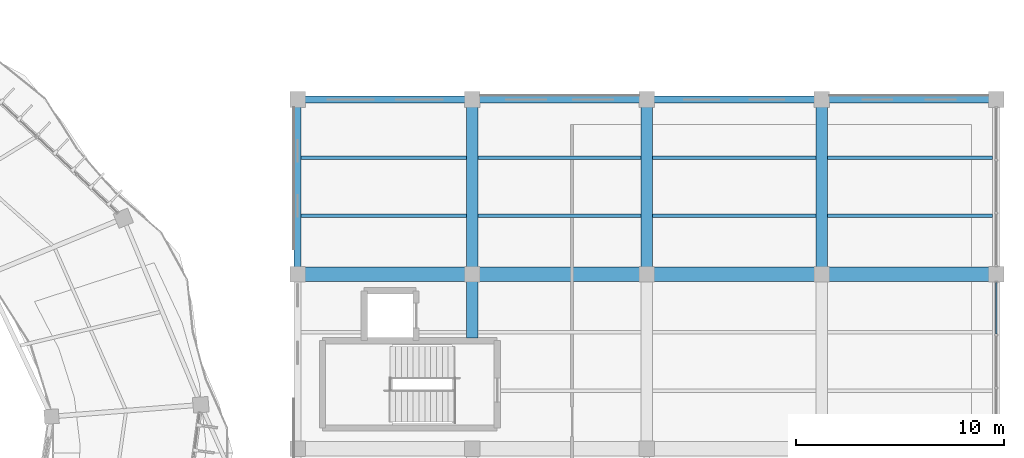
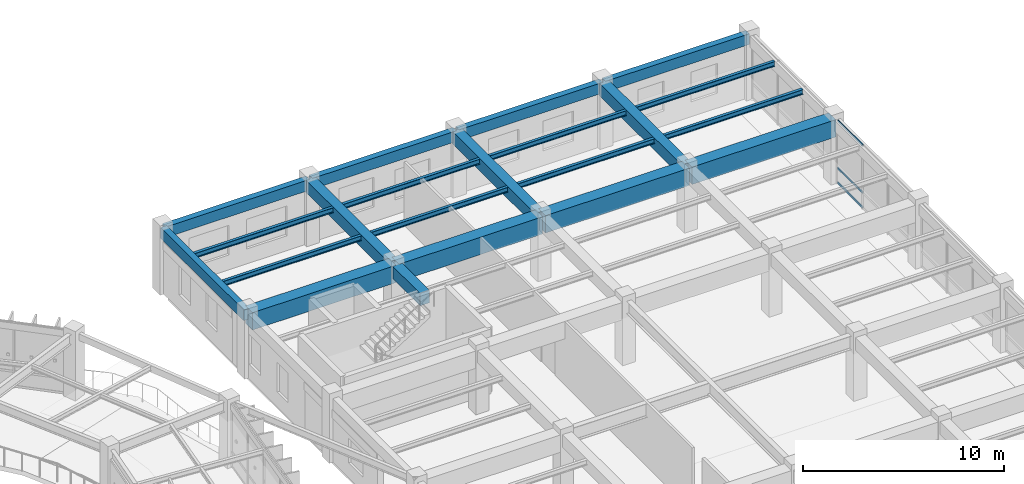
# One storey, part 109 of 152: 21 beams, 3 members, 1 element without a shape of its own.
"""IFC4 building model written with IfcOpenShell, lengths in metres."""

from ifc_helpers import new_model, si_unit, direction, frame, origin, origin_2d, place, context, subcontext, project, spatial, rectangle, hollow_rectangle, i_section, extrude, material, material_profile, profile_set, type_object, element, aggregate, save


model = new_model("IFC4")

# Units and contexts
model_context = context("Model", 3, precision=1e-05, world=origin(), true_north=direction((0.0, 1.0)))
body_context = subcontext(model_context, "Body", "Model", "MODEL_VIEW")
ifc_project = project(units=[si_unit("LENGTHUNIT", "METRE"), si_unit("AREAUNIT", "SQUARE_METRE"), si_unit("VOLUMEUNIT", "CUBIC_METRE"), si_unit("PLANEANGLEUNIT", "RADIAN"), si_unit("MASSUNIT", "GRAM", prefix="KILO"), si_unit("THERMODYNAMICTEMPERATUREUNIT", "KELVIN"), si_unit("POWERUNIT", "WATT")], contexts=[model_context])

# Site, building, storey
site_placement = place(None, origin())
site = spatial("IfcSite", under=ifc_project, at=site_placement, CompositionType="ELEMENT")
building_placement = place(site_placement, origin())
building = spatial("IfcBuilding", under=site, at=building_placement, Name="Darbajah Civic Hall", CompositionType="ELEMENT")
storey_placement = place(building_placement, frame((0.0, 0.0, 5.39990234375)))
storey = spatial("IfcBuildingStorey", under=building, at=storey_placement, Name="L01", CompositionType="ELEMENT", Elevation=5.39990234375)

# Curtain wall, members
ifc_material_1 = material(Name="Anodised Bronze Aluminium and Low-E Glazing", Category="aluminium")
curtain_wall_type = type_object("IfcCurtainWallType", Name="Unitised Curtain Wall CW-96 7600x3850", PredefinedType="USERDEFINED", material=ifc_material_1)
curtain_wall_placement = place(storey_placement, origin())
curtain_wall = element("IfcCurtainWall", 1, at=curtain_wall_placement, inside=storey, type_object=curtain_wall_type, Name="L01 unitised curtain wall CW-V4-L01-S1-B4", ObjectType="UNITISED CURTAIN WALL", PredefinedType="USERDEFINED")
ifc_material_2 = material(Name="Anodised Bronze Aluminium", Category="aluminium")
ifc_material_profile_1 = material_profile(ifc_material_2, hollow_rectangle(XDim=0.06005859375, YDim=0.1201171875, WallThickness=0.003173828125, at=origin_2d()), Name="ALU TRANSOM 60x120")
ifc_profile_set_1 = profile_set([ifc_material_profile_1], Name="Anodised Bronze Aluminium")
member_type = type_object("IfcMemberType", Name="ALU TRANSOM 60x120", PredefinedType="USERDEFINED", material=ifc_profile_set_1)
member_1_placement = place(storey_placement, frame((178.199951171875, 95.50927734375, 0.06005859375), z_axis=(0.0, 1.0, 0.0), x_axis=(-1.0, 0.0, 0.0)))
member_1 = element("IfcMember", 2, at=member_1_placement, type_object=member_type, Name="CW-V4-L01-S1-B4 transom 3.1", ObjectType="TRANSOM", PredefinedType="USERDEFINED", context=body_context, shape_type="SweptSolid", body=[
    extrude(hollow_rectangle(XDim=0.06005859375, YDim=0.1201171875, WallThickness=0.003173828125, at=origin_2d()), origin(), (0.0, 0.0, 1.0), 2.478759765625),
])
member_2_placement = place(storey_placement, frame((178.199951171875, 95.50927734375, 0.9501953125), z_axis=(0.0, 1.0, 0.0), x_axis=(-1.0, 0.0, 0.0)))
member_2 = element("IfcMember", 3, at=member_2_placement, type_object=member_type, Name="CW-V4-L01-S1-B4 transom 3.2", ObjectType="TRANSOM", PredefinedType="USERDEFINED", context=body_context, shape_type="SweptSolid", body=[
    extrude(hollow_rectangle(XDim=0.06005859375, YDim=0.1201171875, WallThickness=0.003173828125, at=origin_2d()), origin(), (0.0, 0.0, 1.0), 2.478759765625),
])
member_3_placement = place(storey_placement, frame((178.199951171875, 95.50927734375, 3.800048828125), z_axis=(0.0, 1.0, 0.0), x_axis=(-1.0, 0.0, 0.0)))
member_3 = element("IfcMember", 4, at=member_3_placement, type_object=member_type, Name="CW-V4-L01-S1-B4 transom 3.3", ObjectType="TRANSOM", PredefinedType="USERDEFINED", context=body_context, shape_type="SweptSolid", body=[
    extrude(hollow_rectangle(XDim=0.06005859375, YDim=0.1201171875, WallThickness=0.003173828125, at=origin_2d()), origin(), (0.0, 0.0, 1.0), 2.478759765625),
])
aggregate(curtain_wall, [member_1, member_2, member_3])

# Beams
ifc_material_3 = material(Name="Concrete C45/55", Category="concrete")
ifc_material_profile_2 = material_profile(ifc_material_3, rectangle(XDim=0.550048828125, YDim=0.75, at=origin_2d()), Name="RC BEAM 550x750")
ifc_profile_set_2 = profile_set([ifc_material_profile_2], Name="Concrete C45/55")
beam_type_1 = type_object("IfcBeamType", Name="RC BEAM 550x750", PredefinedType="BEAM", material=ifc_profile_set_2)
beam_1_placement = place(storey_placement, frame((153.0, 95.340087890625, 3.485107421875), z_axis=(0.0, 1.0, 0.0), x_axis=(-1.0, 0.0, 0.0)))
element("IfcBeam", 5, at=beam_1_placement, inside=storey, type_object=beam_type_1, Name="L01 beam BM-5575", PredefinedType="BEAM", context=body_context, shape_type="SweptSolid", body=[
    extrude(rectangle(XDim=0.550048828125, YDim=0.75, at=origin_2d()), origin(), (0.0, 0.0, 1.0), 2.97998046875),
])
for number, where, z_axis, x_axis, name in (
    (6, (153.0, 98.47998046875, 3.485107421875), (0.0, 1.0, 0.0), (-1.0, 0.0, 0.0), "L01 beam BM-5575"),
    (7, (161.39990234375, 98.47998046875, 3.485107421875), (0.0, 1.0, 0.0), (-1.0, 0.0, 0.0), "L01 beam BM-5575"),
    (8, (169.800048828125, 98.47998046875, 3.485107421875), (0.0, 1.0, 0.0), (-1.0, 0.0, 0.0), "L01 beam BM-5575"),
):
    element("IfcBeam", number, at=place(storey_placement, frame(where, z_axis=z_axis, x_axis=x_axis)), inside=storey, type_object=beam_type_1, Name=name, PredefinedType="BEAM", context=body_context, shape_type="SweptSolid", body=[
        extrude(rectangle(XDim=0.550048828125, YDim=0.75, at=origin_2d()), origin(), (0.0, 0.0, 1.0), 8.239990234375),
    ])
ifc_material_4 = material(Name="Concrete C50/60", Category="concrete")
ifc_material_profile_3 = material_profile(ifc_material_4, rectangle(XDim=0.699951171875, YDim=1.050048828125, at=origin_2d()), Name="RC GIRDER 700x1050")
ifc_profile_set_3 = profile_set([ifc_material_profile_3], Name="Concrete C50/60")
beam_type_2 = type_object("IfcBeamType", Name="RC GIRDER 700x1050", PredefinedType="BEAM", material=ifc_profile_set_3)
for number, where, z_axis, x_axis, name in (
    (9, (144.679931640625, 98.39990234375, 3.335205078125), (1.0, 0.0, 0.0), (0.0, 1.0, 0.0), "L01 beam BG-7010"),
    (10, (153.080078125, 98.39990234375, 3.335205078125), (1.0, 0.0, 0.0), (0.0, 1.0, 0.0), "L01 beam BG-7010"),
    (11, (161.47998046875, 98.39990234375, 3.335205078125), (1.0, 0.0, 0.0), (0.0, 1.0, 0.0), "L01 beam BG-7010"),
):
    element("IfcBeam", number, at=place(storey_placement, frame(where, z_axis=z_axis, x_axis=x_axis)), inside=storey, type_object=beam_type_2, Name=name, PredefinedType="BEAM", context=body_context, shape_type="SweptSolid", body=[
        extrude(rectangle(XDim=0.699951171875, YDim=1.050048828125, at=origin_2d()), origin(), (0.0, 0.0, 1.0), 8.239990234375),
    ])
beam_2_placement = place(storey_placement, frame((169.8798828125, 98.39990234375, 3.335205078125), z_axis=(1.0, 0.0, 0.0), x_axis=(0.0, 1.0, 0.0)))
element("IfcBeam", 12, at=beam_2_placement, inside=storey, type_object=beam_type_2, Name="L01 beam BG-7010", PredefinedType="BEAM", context=body_context, shape_type="SweptSolid", body=[
    extrude(rectangle(XDim=0.699951171875, YDim=1.050048828125, at=origin_2d()), origin(), (0.0, 0.0, 1.0), 8.240234375),
])
ifc_material_profile_4 = material_profile(ifc_material_3, rectangle(XDim=0.35009765625, YDim=0.64990234375, at=origin_2d()), Name="RC SPANDREL 350x650")
ifc_profile_set_4 = profile_set([ifc_material_profile_4], Name="Concrete C45/55")
beam_type_3 = type_object("IfcBeamType", Name="RC SPANDREL 350x650", PredefinedType="SPANDREL", material=ifc_profile_set_4)
for number, where, z_axis, x_axis, name in (
    (13, (144.679931640625, 106.800048828125, 3.53515625), (1.0, 0.0, 0.0), (0.0, 1.0, 0.0), "L01 beam SP-3565"),
    (14, (153.080078125, 106.800048828125, 3.53515625), (1.0, 0.0, 0.0), (0.0, 1.0, 0.0), "L01 beam SP-3565"),
    (15, (161.47998046875, 106.800048828125, 3.53515625), (1.0, 0.0, 0.0), (0.0, 1.0, 0.0), "L01 beam SP-3565"),
):
    element("IfcBeam", number, at=place(storey_placement, frame(where, z_axis=z_axis, x_axis=x_axis)), inside=storey, type_object=beam_type_3, Name=name, PredefinedType="SPANDREL", context=body_context, shape_type="SweptSolid", body=[
        extrude(rectangle(XDim=0.35009765625, YDim=0.64990234375, at=origin_2d()), origin(), (0.0, 0.0, 1.0), 8.239990234375),
    ])
beam_3_placement = place(storey_placement, frame((169.8798828125, 106.800048828125, 3.53515625), z_axis=(1.0, 0.0, 0.0), x_axis=(0.0, 1.0, 0.0)))
element("IfcBeam", 16, at=beam_3_placement, inside=storey, type_object=beam_type_3, Name="L01 beam SP-3565", PredefinedType="SPANDREL", context=body_context, shape_type="SweptSolid", body=[
    extrude(rectangle(XDim=0.35009765625, YDim=0.64990234375, at=origin_2d()), origin(), (0.0, 0.0, 1.0), 8.240234375),
])
beam_4_placement = place(storey_placement, frame((144.60009765625, 98.47998046875, 3.53515625), z_axis=(0.0, 1.0, 0.0), x_axis=(-1.0, 0.0, 0.0)))
element("IfcBeam", 17, at=beam_4_placement, inside=storey, type_object=beam_type_3, Name="L01 beam SP-3565", PredefinedType="SPANDREL", context=body_context, shape_type="SweptSolid", body=[
    extrude(rectangle(XDim=0.35009765625, YDim=0.64990234375, at=origin_2d()), origin(), (0.0, 0.0, 1.0), 8.239990234375),
])
ifc_material_5 = material(Name="Steel S355JR", Category="steel")
ifc_material_profile_5 = material_profile(ifc_material_5, i_section(OverallWidth=0.165771484375, OverallDepth=0.306640625, WebThickness=0.006591796875, FlangeThickness=0.01171875, FilletRadius=0.0087890625, at=origin_2d()), Name="UB 305x165x46")
ifc_profile_set_5 = profile_set([ifc_material_profile_5], Name="Steel S355JR")
beam_type_4 = type_object("IfcBeamType", Name="UB 305x165x46", PredefinedType="JOIST", material=ifc_profile_set_5)
for number, where, z_axis, x_axis, name in (
    (18, (144.77490234375, 101.199951171875, 3.706787109375), (1.0, 0.0, 0.0), (0.0, 1.0, 0.0), "L01 beam SJ-305"),
    (19, (144.77490234375, 104.0, 3.706787109375), (1.0, 0.0, 0.0), (0.0, 1.0, 0.0), "L01 beam SJ-305"),
):
    element("IfcBeam", number, at=place(storey_placement, frame(where, z_axis=z_axis, x_axis=x_axis)), inside=storey, type_object=beam_type_4, Name=name, PredefinedType="JOIST", context=body_context, shape_type="SweptSolid", body=[
        extrude(i_section(OverallWidth=0.165771484375, OverallDepth=0.306640625, WebThickness=0.006591796875, FlangeThickness=0.01171875, FilletRadius=0.0087890625, at=origin_2d()), origin(), (0.0, 0.0, 1.0), 7.9501953125),
    ])
for number, where, z_axis, x_axis, name in (
    (20, (153.27490234375, 101.199951171875, 3.706787109375), (1.0, 0.0, 0.0), (0.0, 1.0, 0.0), "L01 beam SJ-305"),
    (21, (153.27490234375, 104.0, 3.706787109375), (1.0, 0.0, 0.0), (0.0, 1.0, 0.0), "L01 beam SJ-305"),
):
    element("IfcBeam", number, at=place(storey_placement, frame(where, z_axis=z_axis, x_axis=x_axis)), inside=storey, type_object=beam_type_4, Name=name, PredefinedType="JOIST", context=body_context, shape_type="SweptSolid", body=[
        extrude(i_section(OverallWidth=0.165771484375, OverallDepth=0.306640625, WebThickness=0.006591796875, FlangeThickness=0.01171875, FilletRadius=0.0087890625, at=origin_2d()), origin(), (0.0, 0.0, 1.0), 7.85009765625),
    ])
for number, where, z_axis, x_axis, name in (
    (22, (161.675048828125, 101.199951171875, 3.706787109375), (1.0, 0.0, 0.0), (0.0, 1.0, 0.0), "L01 beam SJ-305"),
    (23, (161.675048828125, 104.0, 3.706787109375), (1.0, 0.0, 0.0), (0.0, 1.0, 0.0), "L01 beam SJ-305"),
):
    element("IfcBeam", number, at=place(storey_placement, frame(where, z_axis=z_axis, x_axis=x_axis)), inside=storey, type_object=beam_type_4, Name=name, PredefinedType="JOIST", context=body_context, shape_type="SweptSolid", body=[
        extrude(i_section(OverallWidth=0.165771484375, OverallDepth=0.306640625, WebThickness=0.006591796875, FlangeThickness=0.01171875, FilletRadius=0.0087890625, at=origin_2d()), origin(), (0.0, 0.0, 1.0), 7.849853515625),
    ])
for number, where, z_axis, x_axis, name in (
    (24, (170.074951171875, 101.199951171875, 3.706787109375), (1.0, 0.0, 0.0), (0.0, 1.0, 0.0), "L01 beam SJ-305"),
    (25, (170.074951171875, 104.0, 3.706787109375), (1.0, 0.0, 0.0), (0.0, 1.0, 0.0), "L01 beam SJ-305"),
):
    element("IfcBeam", number, at=place(storey_placement, frame(where, z_axis=z_axis, x_axis=x_axis)), inside=storey, type_object=beam_type_4, Name=name, PredefinedType="JOIST", context=body_context, shape_type="SweptSolid", body=[
        extrude(i_section(OverallWidth=0.165771484375, OverallDepth=0.306640625, WebThickness=0.006591796875, FlangeThickness=0.01171875, FilletRadius=0.0087890625, at=origin_2d()), origin(), (0.0, 0.0, 1.0), 7.949951171875),
    ])

save(model, "model.ifc")
